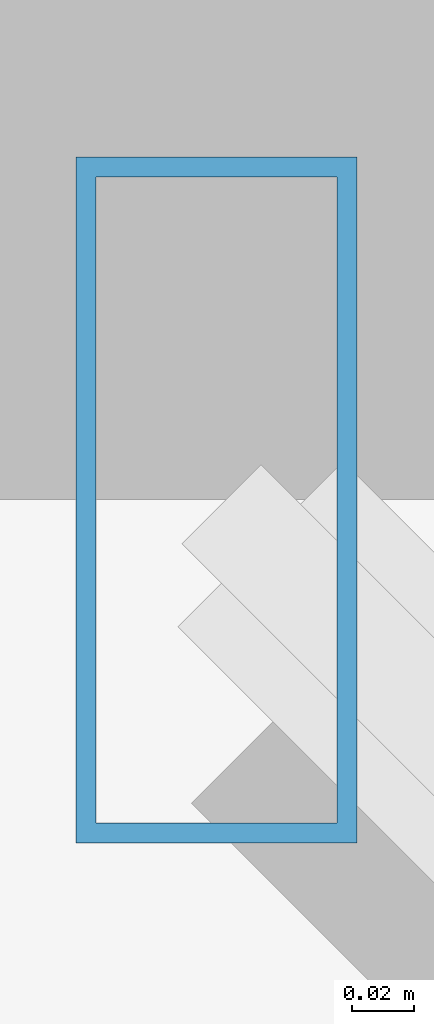
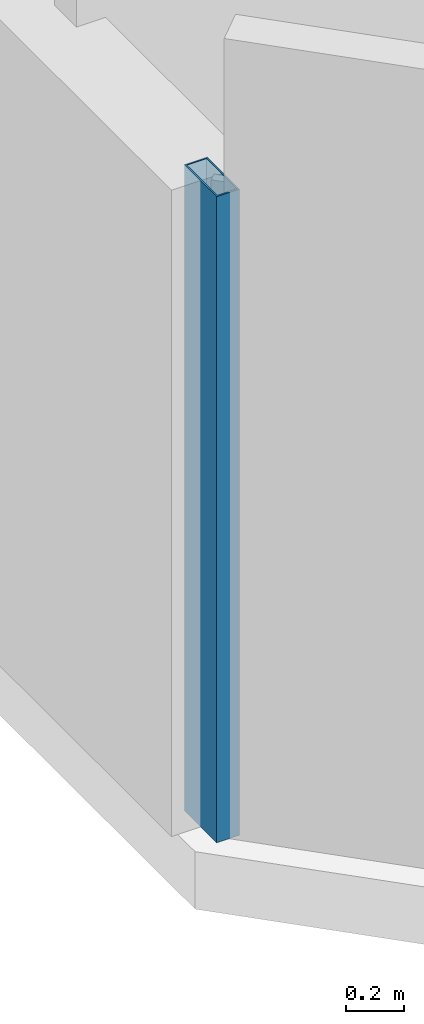
# One storey, part 6 of 34: 1 member, 1 element without a shape of its own.
"""IFC4 building model written with IfcOpenShell, lengths in metres."""

from ifc_helpers import new_model, si_unit, direction, frame, origin, origin_2d, place, context, subcontext, project, spatial, hollow_rectangle, extrude, material, material_profile, profile_set, type_object, element, aggregate, save


model = new_model("IFC4")

# Units and contexts
model_context = context("Model", 3, precision=1e-05, world=origin(), true_north=direction((0.0, 1.0)))
body_context = subcontext(model_context, "Body", "Model", "MODEL_VIEW")
ifc_project = project(units=[si_unit("LENGTHUNIT", "METRE"), si_unit("AREAUNIT", "SQUARE_METRE"), si_unit("VOLUMEUNIT", "CUBIC_METRE"), si_unit("PLANEANGLEUNIT", "RADIAN"), si_unit("MASSUNIT", "GRAM", prefix="KILO")], contexts=[model_context])

# Site, building, storey
site_placement = place(None, origin())
site = spatial("IfcSite", under=ifc_project, at=site_placement, CompositionType="ELEMENT")
building_placement = place(site_placement, origin())
building = spatial("IfcBuilding", under=site, at=building_placement, Name="Thornwick Lancets Civic Towers", CompositionType="ELEMENT")
storey_placement = place(building_placement, frame((0.0, 0.0, 57.300048828125)))
storey = spatial("IfcBuildingStorey", under=building, at=storey_placement, Name="L14", CompositionType="ELEMENT", Elevation=57.300048828125)

# Curtain wall, member
ifc_material_1 = material(Name="Low-zone chamfered-corner unitised glass curtain wall", Category="glass")
curtain_wall_type = type_object("IfcCurtainWallType", Name="CW_SYS_03", PredefinedType="NOTDEFINED", material=ifc_material_1)
curtain_wall_placement = place(storey_placement, origin())
curtain_wall = element("IfcCurtainWall", 1, at=curtain_wall_placement, inside=storey, type_object=curtain_wall_type, Name="L14 Curtain Wall CW-L14-B-E7", PredefinedType="NOTDEFINED")
ifc_material_2 = material(Name="Thermally broken bronze aluminium S355", Category="steel")
ifc_material_profile = material_profile(ifc_material_2, hollow_rectangle(XDim=0.090087890625, YDim=0.219970703125, WallThickness=0.00634765625, at=origin_2d()), Name="RHS 220x90x6.3")
ifc_profile_set = profile_set([ifc_material_profile], Name="Thermally broken bronze aluminium S355")
member_type = type_object("IfcMemberType", Name="CW_MUL_220", PredefinedType="MULLION", material=ifc_profile_set)
member_placement = place(storey_placement, frame((70.235107421875, 11.31884765625, 0.0), z_axis=(0.0, 0.0, 1.0), x_axis=(1.0, 0.0, 0.0)))
member = element("IfcMember", 2, at=member_placement, type_object=member_type, Name="CW-L14-B-E7 Mullion 0", PredefinedType="MULLION", context=body_context, shape_type="SweptSolid", body=[
    extrude(hollow_rectangle(XDim=0.090087890625, YDim=0.219970703125, WallThickness=0.00634765625, at=origin_2d()), origin(), (0.0, 0.0, 1.0), 2.699951171875),
])
aggregate(curtain_wall, [member])

save(model, "model.ifc")
